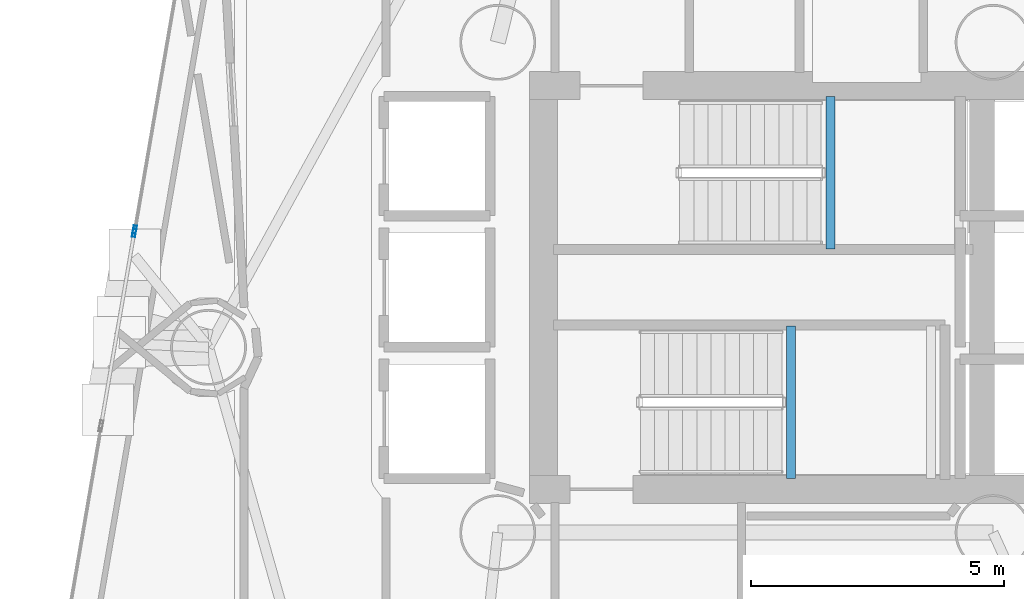
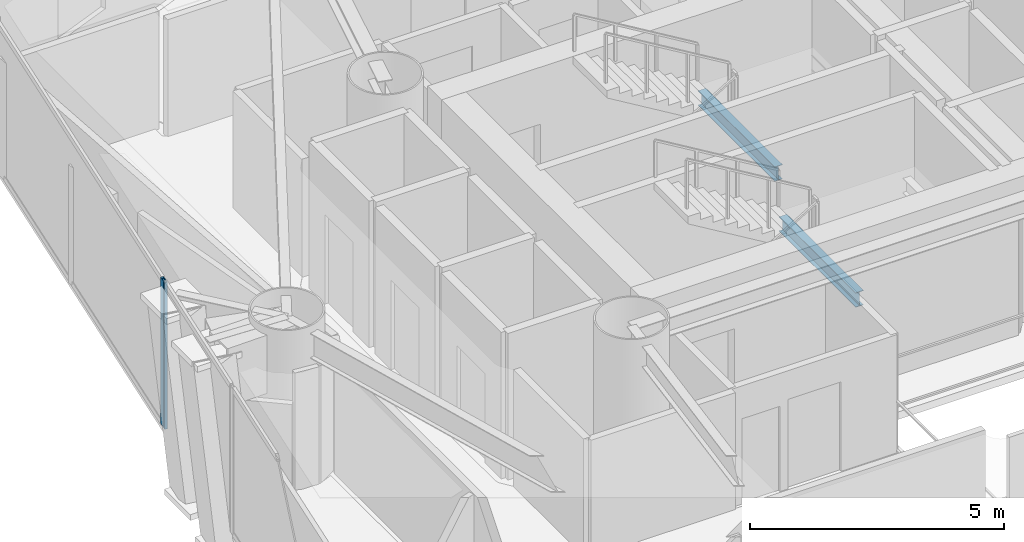
# One storey, part 8 of 21: 2 beams, 2 members, 2 elements without a shape of their own.
"""IFC4 building model written with IfcOpenShell, lengths in metres."""

from ifc_helpers import new_model, si_unit, direction, frame, origin, origin_2d, place, context, subcontext, project, spatial, hollow_rectangle, i_section, extrude, material, layer, layer_set, material_profile, profile_set, type_object, element, aggregate, save


model = new_model("IFC4")

# Units and contexts
model_context = context("Model", 3, precision=1e-05, world=origin(), true_north=direction((0.0, 1.0)))
body_context = subcontext(model_context, "Body", "Model", "MODEL_VIEW")
ifc_project = project(units=[si_unit("LENGTHUNIT", "METRE"), si_unit("AREAUNIT", "SQUARE_METRE"), si_unit("VOLUMEUNIT", "CUBIC_METRE"), si_unit("PLANEANGLEUNIT", "RADIAN"), si_unit("MASSUNIT", "GRAM", prefix="KILO")], contexts=[model_context])

# Site, building, storey
site_placement = place(None, origin())
site = spatial("IfcSite", under=ifc_project, at=site_placement, CompositionType="ELEMENT")
building_placement = place(site_placement, origin())
building = spatial("IfcBuilding", under=site, at=building_placement, Name="Qianvela Tower", CompositionType="ELEMENT")
storey_placement = place(building_placement, frame((0.0, 0.0, 112.60009765625)))
storey = spatial("IfcBuildingStorey", under=building, at=storey_placement, Name="L28", CompositionType="ELEMENT", Elevation=112.60009765625)

# Beams
ifc_material_1 = material(Name="Steel Q355B", Category="steel")
ifc_material_profile_1 = material_profile(ifc_material_1, i_section(OverallWidth=0.175048828125, OverallDepth=0.35009765625, WebThickness=0.007080078125, FlangeThickness=0.010986328125, at=origin_2d()), Name="HN350x175x7x11")
ifc_profile_set_1 = profile_set([ifc_material_profile_1], Name="Steel Q355B")
beam_type = type_object("IfcBeamType", Name="BM-HN350-JOIST", PredefinedType="JOIST", material=ifc_profile_set_1)
for number, where, z_axis, x_axis, name in (
    (1, (35.179931640625, 29.4599609375, 1.474853515625), (0.0, 1.0, 0.0), (-1.0, 0.0, 0.0), "L28 Stair ST-1 Landing Support Beam 1.1"),
    (2, (34.39990234375, 24.919921875, 1.474853515625), (0.0, 1.0, 0.0), (-1.0, 0.0, 0.0), "L28 Stair ST-2 Landing Support Beam 1.1"),
):
    element("IfcBeam", number, at=place(storey_placement, frame(where, z_axis=z_axis, x_axis=x_axis)), inside=storey, type_object=beam_type, Name=name, PredefinedType="JOIST", context=body_context, shape_type="SweptSolid", body=[
        extrude(i_section(OverallWidth=0.175048828125, OverallDepth=0.35009765625, WebThickness=0.007080078125, FlangeThickness=0.010986328125, at=origin_2d()), origin(), (0.0, 0.0, 1.0), 3.02001953125),
    ])

# Curtain wall, member
ifc_material_2 = material(Name="Anodised Architectural Aluminium and Insulated Spandrel Panel", Category="aluminium")
ifc_layer_1 = layer(ifc_material_2, 0.179931640625)
ifc_layer_set_1 = layer_set([ifc_layer_1], Name="Anodised Architectural Aluminium and Insulated Spandrel Panel")
curtain_wall_type_1 = type_object("IfcCurtainWallType", Name="CW-BRACEBAY", PredefinedType="USERDEFINED", material=ifc_layer_set_1)
curtain_wall_1_placement = place(storey_placement, origin())
curtain_wall_1 = element("IfcCurtainWall", 3, at=curtain_wall_1_placement, inside=storey, type_object=curtain_wall_type_1, Name="L28 CW-BRACEBAY Curtain Wall 04B", ObjectType="CURTAIN_WALL_SYSTEM", PredefinedType="USERDEFINED")
ifc_material_3 = material(Name="Anodised Architectural Aluminium 6063-T6", Category="aluminium")
ifc_material_profile_2 = material_profile(ifc_material_3, hollow_rectangle(XDim=0.06494140625, YDim=0.159912109375, WallThickness=0.0048828125, at=origin_2d()), Name="ALU-MULL-65x160")
ifc_profile_set_2 = profile_set([ifc_material_profile_2], Name="Anodised Architectural Aluminium 6063-T6")
member_type_1 = type_object("IfcMemberType", Name="CW-BRACEBAY-MULL", PredefinedType="MULLION", material=ifc_profile_set_2)
member_1_placement = place(storey_placement, frame((21.4072265625, 29.779296875, 0.0), z_axis=(0.0, 0.0, 1.0), x_axis=(0.985527668132, -0.169514646408, 0.0)))
member_1 = element("IfcMember", 4, at=member_1_placement, type_object=member_type_1, Name="CW-9 mullion 1", PredefinedType="MULLION", context=body_context, shape_type="SweptSolid", body=[
    extrude(hollow_rectangle(XDim=0.06494140625, YDim=0.159912109375, WallThickness=0.0048828125, at=origin_2d()), origin(), (0.0, 0.0, 1.0), 3.52001953125),
])
aggregate(curtain_wall_1, [member_1])

ifc_material_4 = material(Name="Anodised Architectural Aluminium and Low-E Glass", Category="aluminium")
ifc_layer_2 = layer(ifc_material_4, 0.169921875)
ifc_layer_set_2 = layer_set([ifc_layer_2], Name="Anodised Architectural Aluminium and Low-E Glass")
curtain_wall_type_2 = type_object("IfcCurtainWallType", Name="CW-COLIV-Z34", PredefinedType="USERDEFINED", material=ifc_layer_set_2)
curtain_wall_2_placement = place(storey_placement, origin())
curtain_wall_2 = element("IfcCurtainWall", 5, at=curtain_wall_2_placement, inside=storey, type_object=curtain_wall_type_2, Name="L28 CW-COLIV-Z34 Curtain Wall 04A", ObjectType="CURTAIN_WALL_SYSTEM", PredefinedType="USERDEFINED")
ifc_material_5 = material(Name="Anodised Architectural Aluminium 6063-T6", Category="aluminium")
ifc_material_profile_3 = material_profile(ifc_material_5, hollow_rectangle(XDim=0.06494140625, YDim=0.159912109375, WallThickness=0.0048828125, at=origin_2d()), Name="ALU-MULL-65x160")
ifc_profile_set_3 = profile_set([ifc_material_profile_3], Name="Anodised Architectural Aluminium 6063-T6")
member_type_2 = type_object("IfcMemberType", Name="CW-COLIV-Z34-MULL", PredefinedType="MULLION", material=ifc_profile_set_3)
member_2_placement = place(storey_placement, frame((21.418212890625, 29.84326171875, 0.0), z_axis=(0.0, 0.0, 1.0), x_axis=(0.985526133735, -0.169523566874, 0.0)))
member_2 = element("IfcMember", 6, at=member_2_placement, type_object=member_type_2, Name="CW-4 mullion 2", PredefinedType="MULLION", context=body_context, shape_type="SweptSolid", body=[
    extrude(hollow_rectangle(XDim=0.06494140625, YDim=0.159912109375, WallThickness=0.0048828125, at=origin_2d()), origin(), (0.0, 0.0, 1.0), 3.52001953125),
])
aggregate(curtain_wall_2, [member_2])

save(model, "model.ifc")
